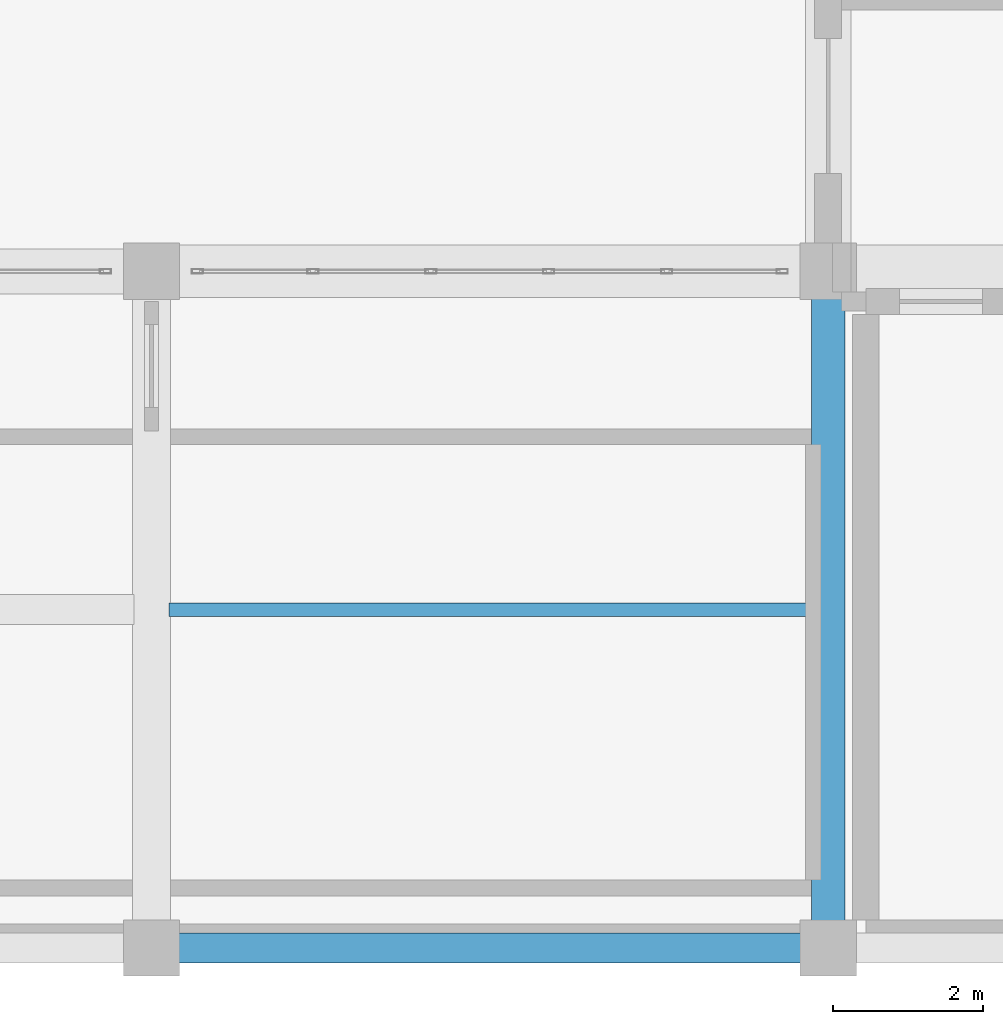
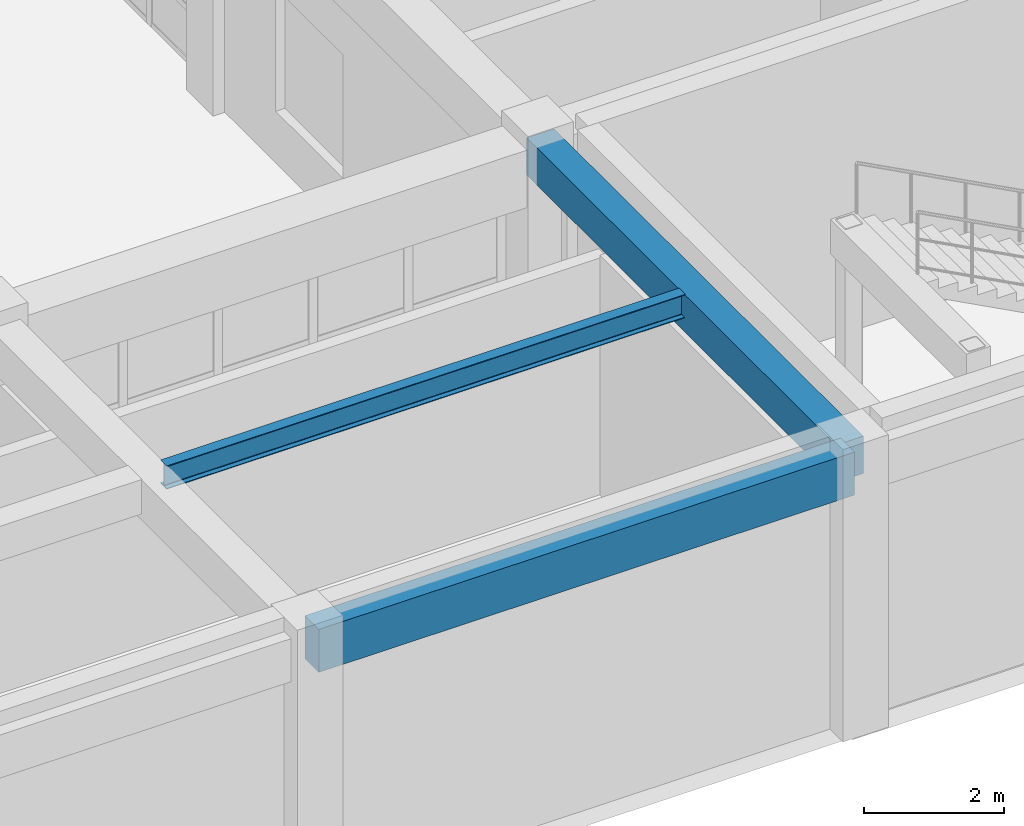
# One storey, part 30 of 128: 3 beams.
"""IFC4 building model written with IfcOpenShell, lengths in metres."""

from ifc_helpers import new_model, si_unit, direction, frame, origin, origin_2d, place, context, subcontext, project, spatial, rectangle, i_section, extrude, material, material_profile, profile_set, type_object, element, save


model = new_model("IFC4")

# Units and contexts
model_context = context("Model", 3, precision=1e-05, world=origin(), true_north=direction((0.0, 1.0)))
body_context = subcontext(model_context, "Body", "Model", "MODEL_VIEW")
ifc_project = project(units=[si_unit("LENGTHUNIT", "METRE"), si_unit("AREAUNIT", "SQUARE_METRE"), si_unit("VOLUMEUNIT", "CUBIC_METRE"), si_unit("PLANEANGLEUNIT", "RADIAN"), si_unit("MASSUNIT", "GRAM", prefix="KILO")], contexts=[model_context])

# Site, building, storey
site_placement = place(None, origin())
site = spatial("IfcSite", under=ifc_project, at=site_placement, CompositionType="ELEMENT")
building_placement = place(site_placement, origin())
building = spatial("IfcBuilding", under=site, at=building_placement, Name="Miravela Opera House", CompositionType="ELEMENT")
storey_placement = place(building_placement, origin())
storey = spatial("IfcBuildingStorey", under=building, at=storey_placement, Name="L00", CompositionType="ELEMENT", Elevation=0.0)

# Beams
ifc_material_1 = material(Name="Concrete C35/45", Category="concrete")
ifc_material_profile_1 = material_profile(ifc_material_1, rectangle(XDim=0.449951171875, YDim=0.64990234375, at=origin_2d()), Name="RC-BM-450X650")
ifc_profile_set_1 = profile_set([ifc_material_profile_1])
beam_type_1 = type_object("IfcBeamType", Name="STR-BM-RC450X650", PredefinedType="BEAM", material=ifc_profile_set_1)
beam_1_placement = place(storey_placement, frame((63.0, 0.080078125, 4.52490234375), z_axis=(0.0, 1.0, 0.0), x_axis=(-1.0, 0.0, 0.0)))
element("IfcBeam", 1, at=beam_1_placement, inside=storey, type_object=beam_type_1, Name="Floor Girder L00 8/A-B", PredefinedType="BEAM", context=body_context, shape_type="SweptSolid", body=[
    extrude(rectangle(XDim=0.449951171875, YDim=0.64990234375, at=origin_2d()), origin(), (0.0, 0.0, 1.0), 8.83984375),
])
ifc_material_2 = material(Name="Structural steel ASTM A992 Gr. 50", Category="steel")
ifc_material_profile_2 = material_profile(ifc_material_2, i_section(OverallWidth=0.177978515625, OverallDepth=0.406982421875, WebThickness=0.0078125, FlangeThickness=0.0126953125, FilletRadius=0.012939453125, at=origin_2d()), Name="W410X60")
ifc_profile_set_2 = profile_set([ifc_material_profile_2])
beam_type_2 = type_object("IfcBeamType", Name="STR-BM-W410X60", PredefinedType="JOIST", material=ifc_profile_set_2)
beam_2_placement = place(storey_placement, frame((54.235107421875, 4.5, 4.646484375), z_axis=(1.0, 0.0, 0.0), x_axis=(0.0, 1.0, 0.0)))
element("IfcBeam", 2, at=beam_2_placement, inside=storey, type_object=beam_type_2, Name="Secondary Floor Joist L00 7-8/A-B", PredefinedType="JOIST", context=body_context, shape_type="SweptSolid", body=[
    extrude(i_section(OverallWidth=0.177978515625, OverallDepth=0.406982421875, WebThickness=0.0078125, FlangeThickness=0.0126953125, FilletRadius=0.012939453125, at=origin_2d()), origin(), (0.0, 0.0, 1.0), 8.554931640625),
])
ifc_material_profile_3 = material_profile(ifc_material_1, rectangle(XDim=0.39990234375, YDim=0.75, at=origin_2d()), Name="RC-SPN-400X750")
ifc_profile_set_3 = profile_set([ifc_material_profile_3])
beam_type_3 = type_object("IfcBeamType", Name="STR-SPN-RC400X750", PredefinedType="SPANDREL", material=ifc_profile_set_3)
beam_3_placement = place(storey_placement, frame((54.080078125, 0.0, 4.47509765625), z_axis=(1.0, 0.0, 0.0), x_axis=(0.0, 1.0, 0.0)))
element("IfcBeam", 3, at=beam_3_placement, inside=storey, type_object=beam_type_3, Name="Floor Girder L00 7-8/A", PredefinedType="SPANDREL", context=body_context, shape_type="SweptSolid", body=[
    extrude(rectangle(XDim=0.39990234375, YDim=0.75, at=origin_2d()), origin(), (0.0, 0.0, 1.0), 8.83984375),
])

save(model, "model.ifc")
